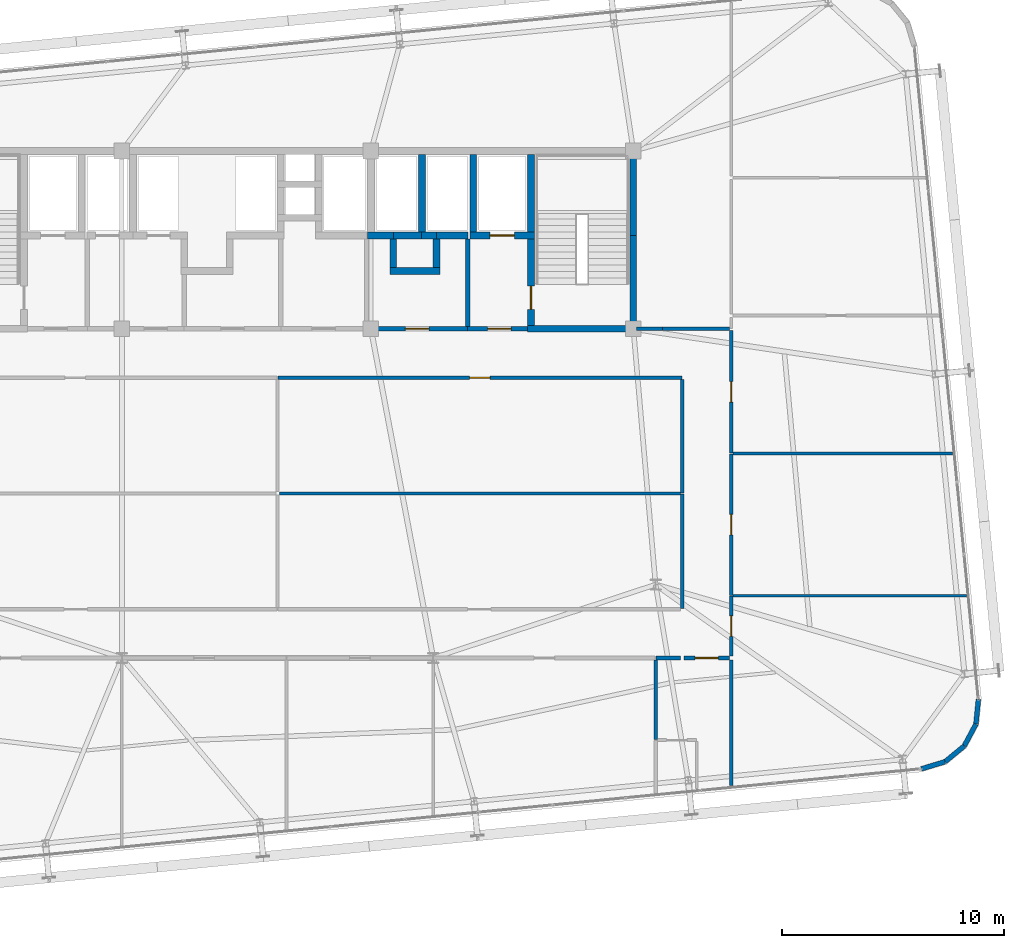
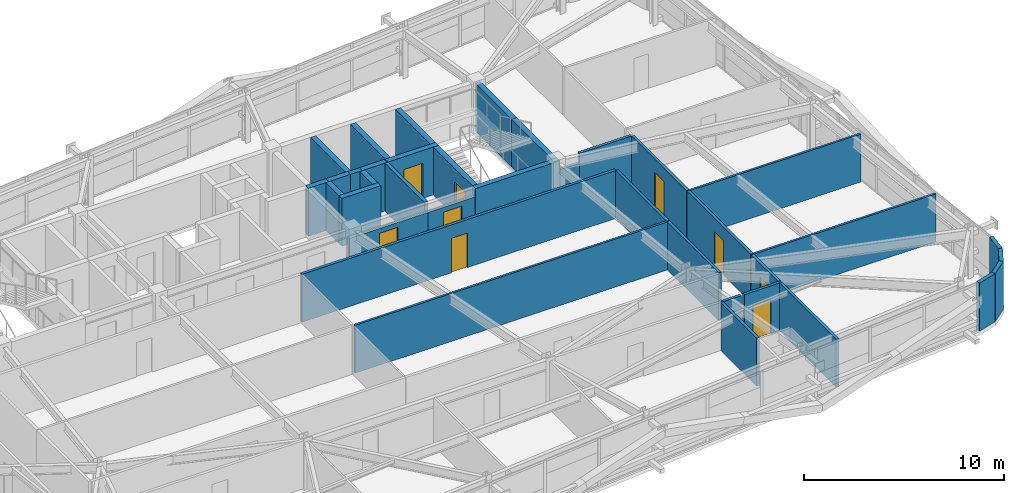
# One storey, part 48 of 52: 37 walls, 9 doors, 9 openings.
"""IFC4 building model written with IfcOpenShell, lengths in metres."""

import ifcopenshell
import ifcopenshell.guid

model = None  # the IFC model being written
_history = None  # IfcOwnerHistory: only IFC2X3 demands one
_inside = {}  # id of a spatial element -> (the spatial element, [elements in it])
_under = {}  # id of a project, library or spatial element -> (it, [spatial elements below it])
_declared = {}  # id of a project -> (the project, [libraries it declares])
_typed = {}  # id of a type object -> (the type object, [elements of that type])
_made_of = {}  # id of a material, layer set ... -> (it, [elements and type objects made of it])


def new_model(schema):
    """Start an empty IFC model of exactly this schema.

    Asked for "IFC4X3", IfcOpenShell would pick the latest addendum, in which some entities
    have other attributes; the version numbers below select the first issue.
    IFC2X3 requires an IfcOwnerHistory on every rooted entity: one is made here for all.
    """
    global model, _history
    if schema == "IFC4X3":
        model = ifcopenshell.file(schema_version=(4, 3, 0, 0))
    else:
        model = ifcopenshell.file(schema=schema)
    _inside.clear()
    _under.clear()
    _declared.clear()
    _typed.clear()
    _made_of.clear()
    _history = None
    if model.schema == "IFC2X3":
        org = make("IfcOrganization", Name="unknown")
        user = make(
            "IfcPersonAndOrganization",
            ThePerson=make("IfcPerson", FamilyName="unknown"),
            TheOrganization=org,
        )
        app = make(
            "IfcApplication",
            ApplicationDeveloper=org,
            Version="unknown",
            ApplicationFullName="unknown",
            ApplicationIdentifier="unknown",
        )
        _history = make(
            "IfcOwnerHistory",
            OwningUser=user,
            OwningApplication=app,
            ChangeAction="ADDED",
            CreationDate=0,
        )
    return model


def make(cls, **values):
    """One entity of the class cls with the attributes given. An attribute that is None is left unset."""
    return model.create_entity(
        cls, **{name: value for name, value in values.items() if value is not None}
    )


def rooted(cls, **values):
    """An entity with a GlobalId (a new one), such as an element, a storey or a relation."""
    return make(cls, GlobalId=ifcopenshell.guid.new(), OwnerHistory=_history, **values)


def si_unit(unit_type, name, prefix=None):
    """IfcSIUnit, for example si_unit("LENGTHUNIT", "METRE", prefix="MILLI")."""
    return make("IfcSIUnit", UnitType=unit_type, Prefix=prefix, Name=name)


def assignment(units):
    """IfcUnitAssignment: the units of a project."""
    return None if units is None else make("IfcUnitAssignment", Units=units)


def point(xyz):
    """IfcCartesianPoint."""
    return None if xyz is None else make("IfcCartesianPoint", Coordinates=xyz)


def direction(xyz):
    """IfcDirection."""
    return None if xyz is None else make("IfcDirection", DirectionRatios=xyz)


def frame(location, z_axis=None, x_axis=None):
    """IfcAxis2Placement3D, a coordinate frame: its origin and axes. An axis left out is left unset."""
    return make(
        "IfcAxis2Placement3D",
        Location=point(location),
        Axis=direction(z_axis),
        RefDirection=direction(x_axis),
    )


def frame_2d(location, x_axis=None):
    """IfcAxis2Placement2D, a coordinate frame in the plane: its origin and x axis."""
    return make(
        "IfcAxis2Placement2D", Location=point(location), RefDirection=direction(x_axis)
    )


def origin():
    """The frame at (0, 0, 0) with its axes left unset."""
    return frame((0.0, 0.0, 0.0))


def place(relative_to, where):
    """IfcLocalPlacement: puts the frame where relative to a parent placement (None: the world)."""
    return make(
        "IfcLocalPlacement", PlacementRelTo=relative_to, RelativePlacement=where
    )


def context(
    kind, dimensions, precision=None, world=None, true_north=None, identifier=None
):
    """IfcGeometricRepresentationContext, for example the 3D "Model" context."""
    return make(
        "IfcGeometricRepresentationContext",
        ContextIdentifier=identifier,
        ContextType=kind,
        CoordinateSpaceDimension=dimensions,
        Precision=precision,
        WorldCoordinateSystem=world,
        TrueNorth=true_north,
    )


def subcontext(parent, identifier, kind, view, scale=None):
    """IfcGeometricRepresentationSubContext, for example "Body" below "Model"."""
    return make(
        "IfcGeometricRepresentationSubContext",
        ContextIdentifier=identifier,
        ContextType=kind,
        ParentContext=parent,
        TargetScale=scale,
        TargetView=view,
    )


def project(units=None, contexts=None):
    """IfcProject with its units and contexts."""
    return rooted(
        "IfcProject",
        Name="project",
        RepresentationContexts=contexts,
        UnitsInContext=assignment(units),
    )


def spatial(cls, under=None, at=None, **own):
    """A site, building, storey or space (cls), placed at a placement, below another one or the project."""
    s = rooted(cls, ObjectPlacement=at, **own)
    if under is not None:
        _under.setdefault(under.id(), (under, []))[1].append(s)
    return s


def profile(cls, at=None, kind="AREA", **sizes):
    """A parametric profile (cls). Its sizes go by their IFC names, for example OverallWidth=200.0."""
    return make(cls, ProfileType=kind, Position=at, **sizes)


def rectangle(**sizes):
    """IfcRectangleProfileDef."""
    return profile("IfcRectangleProfileDef", **sizes)


def extrude(swept, where, along, depth):
    """IfcExtrudedAreaSolid: the profile swept, set in the frame where, extruded along a direction by depth."""
    return make(
        "IfcExtrudedAreaSolid",
        SweptArea=swept,
        Position=where,
        ExtrudedDirection=direction(along),
        Depth=depth,
    )


def shape(context_of_items, identifier, shape_type, items):
    """IfcShapeRepresentation: the items that make up one representation, for example the "Body"."""
    return make(
        "IfcShapeRepresentation",
        ContextOfItems=context_of_items,
        RepresentationIdentifier=identifier,
        RepresentationType=shape_type,
        Items=items,
    )


def source(mapping_origin, context_of_items, identifier, shape_type, items):
    """IfcRepresentationMap: a shape defined once, which mapped items show again and again."""
    return make(
        "IfcRepresentationMap",
        MappingOrigin=mapping_origin,
        MappedRepresentation=shape(context_of_items, identifier, shape_type, items),
    )


def transform(
    local_origin,
    x_axis=None,
    y_axis=None,
    z_axis=None,
    scale=None,
    scale2=None,
    scale3=None,
    uniform=True,
):
    """IfcCartesianTransformationOperator3D, or its non-uniform kind. x_axis, y_axis, z_axis: its Axis1, 2, 3."""
    if uniform:
        return make(
            "IfcCartesianTransformationOperator3D",
            Axis1=direction(x_axis),
            Axis2=direction(y_axis),
            LocalOrigin=point(local_origin),
            Scale=scale,
            Axis3=direction(z_axis),
        )
    return make(
        "IfcCartesianTransformationOperator3DnonUniform",
        Axis1=direction(x_axis),
        Axis2=direction(y_axis),
        LocalOrigin=point(local_origin),
        Scale=scale,
        Axis3=direction(z_axis),
        Scale2=scale2,
        Scale3=scale3,
    )


def mapped(mapping_source, mapping_target):
    """IfcMappedItem: shows the shape of a source again, moved by a transform."""
    return make(
        "IfcMappedItem", MappingSource=mapping_source, MappingTarget=mapping_target
    )


def material(Name=None, Category=None):
    """IfcMaterial."""
    return make("IfcMaterial", Name=Name, Category=Category)


def layer(
    of_material, thickness, ventilated=None, Name=None, Category=None, Priority=None
):
    """IfcMaterialLayer: one layer of a wall or slab, of a material (None: an air gap)."""
    return make(
        "IfcMaterialLayer",
        Material=of_material,
        LayerThickness=thickness,
        IsVentilated=ventilated,
        Name=Name,
        Category=Category,
        Priority=Priority,
    )


def layer_set(layers, Name=None):
    """IfcMaterialLayerSet."""
    return make("IfcMaterialLayerSet", MaterialLayers=layers, LayerSetName=Name)


def made_of(thing, what):
    """Note that an element or type object is made of a material, layer set ...; save() writes the relation."""
    if what is not None:
        _made_of.setdefault(what.id(), (what, []))[1].append(thing)
    return thing


def type_object(cls, material=None, **own):
    """A type object (cls), such as IfcWallType, which elements share."""
    return made_of(rooted(cls, **own), material)


def element(
    cls,
    number,
    at=None,
    inside=None,
    cuts=None,
    type_object=None,
    material=None,
    context=None,
    identifier="Body",
    shape_type=None,
    held_by="IfcProductDefinitionShape",
    body=None,
    shapes=None,
    **own,
):
    """One element of the class cls, such as IfcWall. Its Tag is "e" and its number.

    at: its placement. inside: the storey or other place that contains it. cuts: it is an
    opening in that element (IfcRelVoidsElement). A single representation is given by context,
    identifier, shape_type and body (its items); several are given by shapes. held_by: the class
    of the entity that holds the representations. save() writes the other relations.
    """
    e = rooted(cls, Tag="e%d" % number, ObjectPlacement=at, **own)
    if body is not None:
        shapes = [shape(context, identifier, shape_type, body)]
    if shapes is not None:
        e.Representation = make(held_by, Representations=shapes)
    if inside is not None:
        _inside.setdefault(inside.id(), (inside, []))[1].append(e)
    if cuts is not None:
        rooted(
            "IfcRelVoidsElement", RelatingBuildingElement=cuts, RelatedOpeningElement=e
        )
    if type_object is not None:
        _typed.setdefault(type_object.id(), (type_object, []))[1].append(e)
    return made_of(e, material)


def fill(opening, filler):
    """IfcRelFillsElement: the door or window that sits in an opening."""
    return rooted(
        "IfcRelFillsElement",
        RelatingOpeningElement=opening,
        RelatedBuildingElement=filler,
    )


def aggregate(whole, parts):
    """IfcRelAggregates: a whole, such as a stair, and the parts it consists of."""
    return rooted("IfcRelAggregates", RelatingObject=whole, RelatedObjects=parts)


def save(model, path):
    """Write the relations noted so far, then the file.

    IfcRelAggregates (storeys below a building ...), IfcRelContainedInSpatialStructure (elements
    in a storey), IfcRelDefinesByType, IfcRelAssociatesMaterial and IfcRelDeclares: one each for
    every whole, place, type object, material and project.
    """
    for whole, parts in _under.values():
        aggregate(whole, parts)
    for where, things in _inside.values():
        rooted(
            "IfcRelContainedInSpatialStructure",
            RelatedElements=things,
            RelatingStructure=where,
        )
    for kind, things in _typed.values():
        rooted("IfcRelDefinesByType", RelatedObjects=things, RelatingType=kind)
    for what, things in _made_of.values():
        rooted("IfcRelAssociatesMaterial", RelatedObjects=things, RelatingMaterial=what)
    for by, libraries in _declared.values():
        rooted("IfcRelDeclares", RelatingContext=by, RelatedDefinitions=libraries)
    model.write(path)


model = new_model("IFC4")

# Units and contexts
model_context = context("Model", 3, precision=1e-05, world=origin(), true_north=direction((0.0, 1.0)))
body_context = subcontext(model_context, "Body", "Model", "MODEL_VIEW")
ifc_project = project(units=[si_unit("LENGTHUNIT", "METRE"), si_unit("AREAUNIT", "SQUARE_METRE"), si_unit("VOLUMEUNIT", "CUBIC_METRE"), si_unit("PLANEANGLEUNIT", "RADIAN"), si_unit("MASSUNIT", "GRAM", prefix="KILO")], contexts=[model_context])

# Site, building, storey
site_placement = place(None, origin())
site = spatial("IfcSite", under=ifc_project, at=site_placement, CompositionType="ELEMENT")
building_placement = place(site_placement, origin())
building = spatial("IfcBuilding", under=site, at=building_placement, Name="Taldren Reach Tower", CompositionType="ELEMENT")
storey_placement = place(building_placement, frame((0.0, 0.0, 74.550048828125)))
storey = spatial("IfcBuildingStorey", under=building, at=storey_placement, Name="L22", CompositionType="ELEMENT", Elevation=74.550048828125)

# Walls
ifc_material_1 = material(Name="Pale Champagne Anodised Aluminium Cladding", Category="aluminium")
ifc_layer_1 = layer(ifc_material_1, 0.04, Name="Pale Champagne Anodised Aluminium Cladding", Category="aluminium")
ifc_material_2 = material(Name="Mineral Wool Acoustic Insulation", Category="insulation")
ifc_layer_2 = layer(ifc_material_2, 0.06, Name="Mineral Wool Acoustic Insulation", Category="insulation")
ifc_material_3 = material(Name="Steel Gr 350 (C350L0)", Category="steel")
ifc_layer_3 = layer(ifc_material_3, 0.12, Name="Steel Gr 350 (C350L0)", Category="steel")
ifc_layer_set_1 = layer_set([ifc_layer_1, ifc_layer_2, ifc_layer_3], Name="Pale Champagne Aluminium Cladding and Steel Gr 350 Stud Framing")
wall_type_1 = type_object("IfcWallType", Name="EW-CRN-220", PredefinedType="SOLIDWALL", material=ifc_layer_set_1)
shared_shape_1 = source(origin(), body_context, "Body", "SweptSolid", [
    extrude(rectangle(XDim=1.115966796875, YDim=0.219970703125, at=frame_2d((0.55810546875, 0.0))), origin(), (0.0, 0.0, 1.0), 2.929931640625),
])
for number, where, z_axis, x_axis, name in (
    (1, (65.01708984375, 4.537109375, 0.0), (0.0, 0.0, 1.0), (0.773342870285, 0.633988016432, 0.0), "Rounded-corner pale-metal facade wall L22-SE2"),
    (2, (66.406494140625, 6.228515625, 0.0), (0.0, 0.0, 1.0), (0.09844234778, 0.995142755671, 0.0), "Rounded-corner pale-metal facade wall L22-SE4"),
):
    element("IfcWall", number, at=place(storey_placement, frame(where, z_axis=z_axis, x_axis=x_axis)), inside=storey, type_object=wall_type_1, Name=name, PredefinedType="SOLIDWALL", context=body_context, shape_type="MappedRepresentation", body=[
        mapped(shared_shape_1, transform((0.0, 0.0, 0.0), scale=1.0)),
    ])
shared_shape_2 = source(origin(), body_context, "Body", "SweptSolid", [
    extrude(rectangle(XDim=1.11572265625, YDim=0.219970703125, at=frame_2d((0.557861328125, 0.0))), origin(), (0.0, 0.0, 1.0), 2.929931640625),
])
for number, where, z_axis, x_axis, name in (
    (3, (63.94921875, 4.213623046875, 0.0), (0.0, 0.0, 1.0), (0.957052003726, 0.289916301997, 0.0), "Rounded-corner pale-metal facade wall L22-SE1"),
    (4, (65.880126953125, 5.24462890625, 0.0), (0.0, 0.0, 1.0), (0.471723463201, 0.881746547635, 0.0), "Rounded-corner pale-metal facade wall L22-SE3"),
):
    element("IfcWall", number, at=place(storey_placement, frame(where, z_axis=z_axis, x_axis=x_axis)), inside=storey, type_object=wall_type_1, Name=name, PredefinedType="SOLIDWALL", context=body_context, shape_type="MappedRepresentation", body=[
        mapped(shared_shape_2, transform((0.0, 0.0, 0.0), scale=1.0)),
    ])

# Wall, opening, door
ifc_material_4 = material(Name="Fire-Rated Acoustic Plasterboard Stud Wall", Category="gypsum")
ifc_layer_4 = layer(ifc_material_4, 0.159912109375)
ifc_layer_set_2 = layer_set([ifc_layer_4], Name="Fire-Rated Acoustic Plasterboard Stud Wall")
wall_type_2 = type_object("IfcWallType", Name="IW-FIRE-160", PredefinedType="PARTITIONING", material=ifc_layer_set_2)
shared_shape_3 = source(origin(), body_context, "Body", "SweptSolid", [
    extrude(rectangle(XDim=2.0400390625, YDim=0.159912109375, at=frame_2d((1.02001953125, 0.0))), origin(), (0.0, 0.0, 1.0), 2.929931640625),
])
wall_1_placement = place(storey_placement, frame((55.320068359375, 9.199951171875, 0.0), z_axis=(0.0, 0.0, 1.0), x_axis=(-1.0, 0.0, 0.0)))
wall_1 = element("IfcWall", 5, at=wall_1_placement, inside=storey, type_object=wall_type_2, Name="Interior Partition Wall W-INT-L22-054", PredefinedType="PARTITIONING", context=body_context, shape_type="MappedRepresentation", body=[
    mapped(shared_shape_3, transform((0.0, 0.0, 0.0), scale=1.0)),
])
shared_shape_4 = source(origin(), body_context, "Body", "SweptSolid", [
    extrude(rectangle(XDim=1.050048828125, YDim=2.10009765625, at=frame_2d((0.52490234375, 1.050048828125))), frame((0.0, 0.08984375, 0.0), z_axis=(0.0, -1.0, 0.0), x_axis=(1.0, 0.0, 0.0)), (0.0, 0.0, 1.0), 0.179931640625),
])
opening_1_placement = place(wall_1_placement, frame((0.4951171875, 0.0, 0.0)))
opening_1 = element("IfcOpeningElement", 6, at=opening_1_placement, cuts=wall_1, Name="Opening DF-105", PredefinedType="OPENING", context=body_context, shape_type="MappedRepresentation", body=[
    mapped(shared_shape_4, transform((0.0, 0.0, 0.0), scale=1.0)),
])
ifc_material_5 = material(Name="Fire-Rated Care and Stair Exit Door")
door_type_1 = type_object("IfcDoorType", Name="ID-FIRE-105", OperationType="NOTDEFINED", PredefinedType="DOOR", material=ifc_material_5)
shared_shape_5 = source(origin(), body_context, "Body", "SweptSolid", [
    extrude(rectangle(XDim=1.050048828125, YDim=2.10009765625, at=frame_2d((0.52490234375, 1.050048828125))), frame((0.0, 0.02490234375, 0.0), z_axis=(0.0, -1.0, 0.0), x_axis=(1.0, 0.0, 0.0)), (0.0, 0.0, 1.0), 0.050048828125),
])
door_1_placement = place(opening_1_placement, origin())
door_1 = element("IfcDoor", 7, at=door_1_placement, inside=storey, type_object=door_type_1, Name="Interior Door DR-L22-012", OperationType="SINGLE_SWING_LEFT", OverallHeight=2.10009765625, OverallWidth=1.050048828125, PredefinedType="DOOR", context=body_context, shape_type="MappedRepresentation", body=[
    mapped(shared_shape_5, transform((0.0, 0.0, 0.0), scale=1.0)),
])
fill(opening_1, door_1)

ifc_material_6 = material(Name="Concrete S50 (50 MPa)", Category="concrete")
ifc_layer_5 = layer(ifc_material_6, 0.199951171875)
ifc_layer_set_3 = layer_set([ifc_layer_5], Name="Concrete S50 (50 MPa)")
wall_type_3 = type_object("IfcWallType", Name="IW-CORE-200", PredefinedType="SOLIDWALL", material=ifc_layer_set_3)
shared_shape_6 = source(origin(), body_context, "Body", "SweptSolid", [
    extrude(rectangle(XDim=4.550048828125, YDim=0.199951171875, at=frame_2d((2.27490234375, 0.0))), origin(), (0.0, 0.0, 1.0), 2.39697265625),
])
wall_2_placement = place(storey_placement, frame((43.550048828125, 24.0, 0.0), z_axis=(0.0, 0.0, 1.0), x_axis=(-1.0, 0.0, 0.0)))
wall_2 = element("IfcWall", 8, at=wall_2_placement, inside=storey, type_object=wall_type_3, Name="Rear Core Shear Wall W-INT-L22-046", PredefinedType="SOLIDWALL", context=body_context, shape_type="MappedRepresentation", body=[
    mapped(shared_shape_6, transform((0.0, 0.0, 0.0), scale=1.0)),
])
shared_shape_7 = source(origin(), body_context, "Body", "SweptSolid", [
    extrude(rectangle(XDim=1.050048828125, YDim=2.10009765625, at=frame_2d((0.52490234375, 1.050048828125))), frame((0.0, 0.10986328125, 0.0), z_axis=(0.0, -1.0, 0.0), x_axis=(1.0, 0.0, 0.0)), (0.0, 0.0, 1.0), 0.219970703125),
])
opening_2_placement = place(wall_2_placement, frame((1.75, 0.0, 0.0)))
opening_2 = element("IfcOpeningElement", 9, at=opening_2_placement, cuts=wall_2, Name="Opening DF-105", PredefinedType="OPENING", context=body_context, shape_type="MappedRepresentation", body=[
    mapped(shared_shape_7, transform((0.0, 0.0, 0.0), scale=1.0)),
])
door_2_placement = place(opening_2_placement, frame((1.050048828125, 0.0, 0.0), z_axis=(0.0, 0.0, 1.0), x_axis=(-1.0, 0.0, 0.0)))
door_2 = element("IfcDoor", 10, at=door_2_placement, inside=storey, type_object=door_type_1, Name="Interior Door DR-L22-008", OperationType="SINGLE_SWING_RIGHT", OverallHeight=2.10009765625, OverallWidth=1.050048828125, PredefinedType="DOOR", context=body_context, shape_type="MappedRepresentation", body=[
    mapped(shared_shape_5, transform((0.0, 0.0, 0.0), scale=1.0)),
])
fill(opening_2, door_2)

# Wall
shared_shape_8 = source(origin(), body_context, "Body", "SweptSolid", [
    extrude(rectangle(XDim=5.15966796875, YDim=0.159912109375, at=frame_2d((2.579833984375, 0.0))), origin(), (0.0, 0.0, 1.0), 2.929931640625),
])
wall_3_placement = place(storey_placement, frame((53.199951171875, 11.420166015625, 0.0), z_axis=(0.0, 0.0, 1.0), x_axis=(0.0, 1.0, 0.0)))
element("IfcWall", 11, at=wall_3_placement, inside=storey, type_object=wall_type_2, Name="Interior Partition Wall W-INT-L22-050", PredefinedType="PARTITIONING", context=body_context, shape_type="MappedRepresentation", body=[
    mapped(shared_shape_8, transform((0.0, 0.0, 0.0), scale=1.0)),
])

# Wall, opening, door
shared_shape_9 = source(origin(), body_context, "Body", "SweptSolid", [
    extrude(rectangle(XDim=18.159423828125, YDim=0.159912109375, at=frame_2d((9.07958984375, 0.0))), origin(), (0.0, 0.0, 1.0), 2.929931640625),
])
wall_4_placement = place(storey_placement, frame((53.1796875, 21.800048828125, 0.0), z_axis=(0.0, 0.0, 1.0), x_axis=(-1.0, 0.0, 0.0)))
wall_4 = element("IfcWall", 12, at=wall_4_placement, inside=storey, type_object=wall_type_2, Name="Interior Partition Wall W-INT-L22-051", PredefinedType="PARTITIONING", context=body_context, shape_type="MappedRepresentation", body=[
    mapped(shared_shape_9, transform((0.0, 0.0, 0.0), scale=1.0)),
])
shared_shape_10 = source(origin(), body_context, "Body", "SweptSolid", [
    extrude(rectangle(XDim=0.919921875, YDim=2.10009765625, at=frame_2d((0.4599609375, 1.050048828125))), frame((0.0, 0.08984375, 0.0), z_axis=(0.0, -1.0, 0.0), x_axis=(1.0, 0.0, 0.0)), (0.0, 0.0, 1.0), 0.179931640625),
])
opening_3_placement = place(wall_4_placement, frame((8.619873046875, 0.0, 0.0)))
opening_3 = element("IfcOpeningElement", 13, at=opening_3_placement, cuts=wall_4, Name="Opening DI-092", PredefinedType="OPENING", context=body_context, shape_type="MappedRepresentation", body=[
    mapped(shared_shape_10, transform((0.0, 0.0, 0.0), scale=1.0)),
])
ifc_material_7 = material(Name="Solid-Core Timber Suite Door", Category="wood")
door_type_2 = type_object("IfcDoorType", Name="ID-INT-092", OperationType="NOTDEFINED", PredefinedType="DOOR", material=ifc_material_7)
shared_shape_11 = source(origin(), body_context, "Body", "SweptSolid", [
    extrude(rectangle(XDim=0.919921875, YDim=2.10009765625, at=frame_2d((0.4599609375, 1.050048828125))), frame((0.0, 0.02490234375, 0.0), z_axis=(0.0, -1.0, 0.0), x_axis=(1.0, 0.0, 0.0)), (0.0, 0.0, 1.0), 0.050048828125),
])
door_3_placement = place(opening_3_placement, origin())
door_3 = element("IfcDoor", 14, at=door_3_placement, inside=storey, type_object=door_type_2, Name="Interior Door DR-L22-010", OperationType="SINGLE_SWING_LEFT", OverallHeight=2.10009765625, OverallWidth=0.919921875, PredefinedType="DOOR", context=body_context, shape_type="MappedRepresentation", body=[
    mapped(shared_shape_11, transform((0.0, 0.0, 0.0), scale=1.0)),
])
fill(opening_3, door_3)

# Walls
shared_shape_12 = source(origin(), body_context, "Body", "SweptSolid", [
    extrude(rectangle(XDim=5.099853515625, YDim=0.159912109375, at=frame_2d((2.5498046875, 0.0))), origin(), (0.0, 0.0, 1.0), 2.929931640625),
])
wall_5_placement = place(storey_placement, frame((53.199951171875, 16.6201171875, 0.0), z_axis=(0.0, 0.0, 1.0), x_axis=(0.0, 1.0, 0.0)))
element("IfcWall", 15, at=wall_5_placement, inside=storey, type_object=wall_type_2, Name="Interior Partition Wall W-INT-L22-052", PredefinedType="PARTITIONING", context=body_context, shape_type="MappedRepresentation", body=[
    mapped(shared_shape_12, transform((0.0, 0.0, 0.0), scale=1.0)),
])
shared_shape_13 = source(origin(), body_context, "Body", "SweptSolid", [
    extrude(rectangle(XDim=1.099853515625, YDim=0.159912109375, at=frame_2d((0.5498046875, 0.0))), origin(), (0.0, 0.0, 1.0), 2.929931640625),
])
wall_6_placement = place(storey_placement, frame((53.1201171875, 9.199951171875, 0.0), z_axis=(0.0, 0.0, 1.0), x_axis=(-1.0, 0.0, 0.0)))
element("IfcWall", 16, at=wall_6_placement, inside=storey, type_object=wall_type_2, Name="Interior Partition Wall W-INT-L22-069", PredefinedType="PARTITIONING", context=body_context, shape_type="MappedRepresentation", body=[
    mapped(shared_shape_13, transform((0.0, 0.0, 0.0), scale=1.0)),
])
ifc_material_8 = material(Name="Insulated Residential Stud Partition", Category="gypsum")
ifc_layer_6 = layer(ifc_material_8, 0.1201171875)
ifc_layer_set_4 = layer_set([ifc_layer_6], Name="Insulated Residential Stud Partition")
wall_type_4 = type_object("IfcWallType", Name="IW-PART-120", PredefinedType="PARTITIONING", material=ifc_layer_set_4)
shared_shape_14 = source(origin(), body_context, "Body", "SweptSolid", [
    extrude(rectangle(XDim=18.0400390625, YDim=0.1201171875, at=frame_2d((9.02001953125, 0.0))), origin(), (0.0, 0.0, 1.0), 2.929931640625),
])
wall_7_placement = place(storey_placement, frame((35.080078125, 16.60009765625, 0.0), z_axis=(0.0, 0.0, 1.0), x_axis=(1.0, 0.0, 0.0)))
element("IfcWall", 17, at=wall_7_placement, inside=storey, type_object=wall_type_4, Name="Interior Partition Wall W-INT-L22-073", PredefinedType="PARTITIONING", context=body_context, shape_type="MappedRepresentation", body=[
    mapped(shared_shape_14, transform((0.0, 0.0, 0.0), scale=1.0)),
])

# Wall, opening, door
shared_shape_15 = source(origin(), body_context, "Body", "SweptSolid", [
    extrude(rectangle(XDim=5.499755859375, YDim=0.159912109375, at=frame_2d((2.75, 0.0))), origin(), (0.0, 0.0, 1.0), 2.929931640625),
])
wall_8_placement = place(storey_placement, frame((55.39990234375, 23.919921875, 0.0), z_axis=(0.0, 0.0, 1.0), x_axis=(0.0, -1.0, 0.0)))
wall_8 = element("IfcWall", 18, at=wall_8_placement, inside=storey, type_object=wall_type_2, Name="Interior Partition Wall W-INT-L22-059", PredefinedType="PARTITIONING", context=body_context, shape_type="MappedRepresentation", body=[
    mapped(shared_shape_15, transform((0.0, 0.0, 0.0), scale=1.0)),
])
opening_4_placement = place(wall_8_placement, frame((2.289794921875, 0.0, 0.0)))
opening_4 = element("IfcOpeningElement", 19, at=opening_4_placement, cuts=wall_8, Name="Opening DI-092", PredefinedType="OPENING", context=body_context, shape_type="MappedRepresentation", body=[
    mapped(shared_shape_10, transform((0.0, 0.0, 0.0), scale=1.0)),
])
door_4_placement = place(opening_4_placement, origin())
door_4 = element("IfcDoor", 20, at=door_4_placement, inside=storey, type_object=door_type_2, Name="Interior Door DR-L22-017", OperationType="SINGLE_SWING_RIGHT", OverallHeight=2.10009765625, OverallWidth=0.919921875, PredefinedType="DOOR", context=body_context, shape_type="MappedRepresentation", body=[
    mapped(shared_shape_11, transform((0.0, 0.0, 0.0), scale=1.0)),
])
fill(opening_4, door_4)

shared_shape_16 = source(origin(), body_context, "Body", "SweptSolid", [
    extrude(rectangle(XDim=6.359619140625, YDim=0.159912109375, at=frame_2d((3.1796875, 0.0))), origin(), (0.0, 0.0, 1.0), 2.929931640625),
])
wall_9_placement = place(storey_placement, frame((55.39990234375, 18.3798828125, 0.0), z_axis=(0.0, 0.0, 1.0), x_axis=(0.0, -1.0, 0.0)))
wall_9 = element("IfcWall", 21, at=wall_9_placement, inside=storey, type_object=wall_type_2, Name="Interior Partition Wall W-INT-L22-058", PredefinedType="PARTITIONING", context=body_context, shape_type="MappedRepresentation", body=[
    mapped(shared_shape_16, transform((0.0, 0.0, 0.0), scale=1.0)),
])
opening_5_placement = place(wall_9_placement, frame((2.7197265625, 0.0, 0.0)))
opening_5 = element("IfcOpeningElement", 22, at=opening_5_placement, cuts=wall_9, Name="Opening DI-092", PredefinedType="OPENING", context=body_context, shape_type="MappedRepresentation", body=[
    mapped(shared_shape_10, transform((0.0, 0.0, 0.0), scale=1.0)),
])
door_5_placement = place(opening_5_placement, origin())
door_5 = element("IfcDoor", 23, at=door_5_placement, inside=storey, type_object=door_type_2, Name="Interior Door DR-L22-016", OperationType="SINGLE_SWING_LEFT", OverallHeight=2.10009765625, OverallWidth=0.919921875, PredefinedType="DOOR", context=body_context, shape_type="MappedRepresentation", body=[
    mapped(shared_shape_11, transform((0.0, 0.0, 0.0), scale=1.0)),
])
fill(opening_5, door_5)

# Walls
ifc_material_9 = material(Name="Concrete S65 (65 MPa)", Category="concrete")
ifc_layer_7 = layer(ifc_material_9, 0.300048828125)
ifc_layer_set_5 = layer_set([ifc_layer_7], Name="Concrete S65 (65 MPa)")
wall_type_5 = type_object("IfcWallType", Name="IW-CORE-300", PredefinedType="SHEAR", material=ifc_layer_set_5)
shared_shape_17 = source(origin(), body_context, "Body", "SweptSolid", [
    extrude(rectangle(XDim=4.050048828125, YDim=0.300048828125, at=frame_2d((2.02490234375, 0.0))), origin(), (0.0, 0.0, 1.0), 2.929931640625),
])
wall_10_placement = place(storey_placement, frame((51.0, 24.14990234375, 0.0), z_axis=(0.0, 0.0, 1.0), x_axis=(0.0, 1.0, 0.0)))
element("IfcWall", 24, at=wall_10_placement, inside=storey, type_object=wall_type_5, Name="Rear Core Shear Wall W-CORE-L22-EAST1", PredefinedType="SHEAR", context=body_context, shape_type="MappedRepresentation", body=[
    mapped(shared_shape_17, transform((0.0, 0.0, 0.0), scale=1.0)),
])
shared_shape_18 = source(origin(), body_context, "Body", "SweptSolid", [
    extrude(rectangle(XDim=3.650146484375, YDim=0.300048828125, at=frame_2d((1.8251953125, 0.0))), origin(), (0.0, 0.0, 1.0), 2.929931640625),
])
wall_11_placement = place(storey_placement, frame((51.0, 28.199951171875, 0.0), z_axis=(0.0, 0.0, 1.0), x_axis=(0.0, 1.0, 0.0)))
element("IfcWall", 25, at=wall_11_placement, inside=storey, type_object=wall_type_5, Name="Rear Core Shear Wall W-CORE-L22-EAST2", PredefinedType="SHEAR", context=body_context, shape_type="MappedRepresentation", body=[
    mapped(shared_shape_18, transform((0.0, 0.0, 0.0), scale=1.0)),
])
shared_shape_19 = source(origin(), body_context, "Body", "SweptSolid", [
    extrude(rectangle(XDim=3.5, YDim=0.300048828125, at=frame_2d((1.75, 0.0))), origin(), (0.0, 0.0, 1.0), 2.929931640625),
])
for number, where, z_axis, x_axis, name in (
    (26, (46.39990234375, 31.85009765625, 0.0), (0.0, 0.0, 1.0), (0.0, -1.0, 0.0), "Rear Core Shear Wall W-INT-L22-008"),
    (27, (43.800048828125, 31.85009765625, 0.0), (0.0, 0.0, 1.0), (0.0, -1.0, 0.0), "Rear Core Shear Wall W-INT-L22-012"),
    (28, (41.5, 28.35009765625, 0.0), (0.0, 0.0, 1.0), (0.0, 1.0, 0.0), "Rear Core Shear Wall W-INT-L22-039"),
):
    element("IfcWall", number, at=place(storey_placement, frame(where, z_axis=z_axis, x_axis=x_axis)), inside=storey, type_object=wall_type_5, Name=name, PredefinedType="SHEAR", context=body_context, shape_type="MappedRepresentation", body=[
        mapped(shared_shape_19, transform((0.0, 0.0, 0.0), scale=1.0)),
    ])

# Wall, opening, door
shared_shape_20 = source(origin(), body_context, "Body", "SweptSolid", [
    extrude(rectangle(XDim=3.900146484375, YDim=0.300048828125, at=frame_2d((1.9501953125, 0.0))), origin(), (0.0, 0.0, 1.0), 2.929931640625),
])
wall_12_placement = place(storey_placement, frame((46.39990234375, 28.050048828125, 0.0), z_axis=(0.0, 0.0, 1.0), x_axis=(0.0, -1.0, 0.0)))
wall_12 = element("IfcWall", 29, at=wall_12_placement, inside=storey, type_object=wall_type_5, Name="Rear Core Shear Wall W-INT-L22-009", PredefinedType="SHEAR", context=body_context, shape_type="MappedRepresentation", body=[
    mapped(shared_shape_20, transform((0.0, 0.0, 0.0), scale=1.0)),
])
shared_shape_21 = source(origin(), body_context, "Body", "SweptSolid", [
    extrude(rectangle(XDim=1.050048828125, YDim=2.10009765625, at=frame_2d((0.52490234375, 1.050048828125))), frame((0.0, 0.16015625, 0.0), z_axis=(0.0, -1.0, 0.0), x_axis=(1.0, 0.0, 0.0)), (0.0, 0.0, 1.0), 0.320068359375),
])
opening_6_placement = place(wall_12_placement, frame((2.125, 0.0, 0.0)))
opening_6 = element("IfcOpeningElement", 30, at=opening_6_placement, cuts=wall_12, Name="Opening DF-105", PredefinedType="OPENING", context=body_context, shape_type="MappedRepresentation", body=[
    mapped(shared_shape_21, transform((0.0, 0.0, 0.0), scale=1.0)),
])
door_6_placement = place(opening_6_placement, origin())
door_6 = element("IfcDoor", 31, at=door_6_placement, inside=storey, type_object=door_type_1, Name="Fire Exit Stair Door DR-L22-003", OperationType="SINGLE_SWING_RIGHT", OverallHeight=2.10009765625, OverallWidth=1.050048828125, PredefinedType="DOOR", context=body_context, shape_type="MappedRepresentation", body=[
    mapped(shared_shape_5, transform((0.0, 0.0, 0.0), scale=1.0)),
])
fill(opening_6, door_6)

# Wall
shared_shape_22 = source(origin(), body_context, "Body", "SweptSolid", [
    extrude(rectangle(XDim=4.89990234375, YDim=0.300048828125, at=frame_2d((2.449951171875, 0.0))), origin(), (0.0, 0.0, 1.0), 2.929931640625),
])
wall_13_placement = place(storey_placement, frame((46.25, 24.0, 0.0), z_axis=(0.0, 0.0, 1.0), x_axis=(1.0, 0.0, 0.0)))
element("IfcWall", 32, at=wall_13_placement, inside=storey, type_object=wall_type_5, Name="Rear Core Shear Wall W-INT-L22-010", PredefinedType="SHEAR", context=body_context, shape_type="MappedRepresentation", body=[
    mapped(shared_shape_22, transform((0.0, 0.0, 0.0), scale=1.0)),
])

# Wall, opening, door
shared_shape_23 = source(origin(), body_context, "Body", "SweptSolid", [
    extrude(rectangle(XDim=2.900146484375, YDim=0.300048828125, at=frame_2d((1.4501953125, 0.0))), origin(), (0.0, 0.0, 1.0), 2.929931640625),
])
wall_14_placement = place(storey_placement, frame((43.64990234375, 28.199951171875, 0.0), z_axis=(0.0, 0.0, 1.0), x_axis=(1.0, 0.0, 0.0)))
wall_14 = element("IfcWall", 33, at=wall_14_placement, inside=storey, type_object=wall_type_5, Name="Rear Core Shear Wall W-INT-L22-011", PredefinedType="SHEAR", context=body_context, shape_type="MappedRepresentation", body=[
    mapped(shared_shape_23, transform((0.0, 0.0, 0.0), scale=1.0)),
])
shared_shape_24 = source(origin(), body_context, "Body", "SweptSolid", [
    extrude(rectangle(XDim=1.10009765625, YDim=2.14990234375, at=frame_2d((0.550048828125, 1.074951171875))), frame((0.0, 0.16015625, 0.0), z_axis=(0.0, -1.0, 0.0), x_axis=(1.0, 0.0, 0.0)), (0.0, 0.0, 1.0), 0.320068359375),
])
opening_7_placement = place(wall_14_placement, frame((0.89990234375, 0.0, 0.0)))
opening_7 = element("IfcOpeningElement", 34, at=opening_7_placement, cuts=wall_14, Name="Opening LD-FL2", PredefinedType="OPENING", context=body_context, shape_type="MappedRepresentation", body=[
    mapped(shared_shape_24, transform((0.0, 0.0, 0.0), scale=1.0)),
])
ifc_material_10 = material(Name="Stainless Steel Gr 316 Emergency Lift Landing Door", Category="steel")
door_type_3 = type_object("IfcDoorType", Name="LD-EMG-110", OperationType="SLIDING_TO_LEFT", PredefinedType="DOOR", material=ifc_material_10)
shared_shape_25 = source(origin(), body_context, "Body", "SweptSolid", [
    extrude(rectangle(XDim=1.10009765625, YDim=2.14990234375, at=frame_2d((0.550048828125, 1.074951171875))), frame((0.0, 0.02490234375, 0.0), z_axis=(0.0, -1.0, 0.0), x_axis=(1.0, 0.0, 0.0)), (0.0, 0.0, 1.0), 0.050048828125),
])
door_7_placement = place(opening_7_placement, origin())
door_7 = element("IfcDoor", 35, at=door_7_placement, inside=storey, type_object=door_type_3, Name="Lift Landing Door LD-FL2-L22", OperationType="SLIDING_TO_LEFT", OverallHeight=2.14990234375, OverallWidth=1.10009765625, PredefinedType="DOOR", context=body_context, shape_type="MappedRepresentation", body=[
    mapped(shared_shape_25, transform((0.0, 0.0, 0.0), scale=1.0)),
])
fill(opening_7, door_7)

# Wall
shared_shape_26 = source(origin(), body_context, "Body", "SweptSolid", [
    extrude(rectangle(XDim=3.949951171875, YDim=0.199951171875, at=frame_2d((1.97509765625, 0.0))), origin(), (0.0, 0.0, 1.0), 2.929931640625),
])
wall_15_placement = place(storey_placement, frame((43.550048828125, 28.050048828125, 0.0), z_axis=(0.0, 0.0, 1.0), x_axis=(0.0, -1.0, 0.0)))
element("IfcWall", 36, at=wall_15_placement, inside=storey, type_object=wall_type_3, Name="Rear Core Shear Wall W-INT-L22-013", PredefinedType="SOLIDWALL", context=body_context, shape_type="MappedRepresentation", body=[
    mapped(shared_shape_26, transform((0.0, 0.0, 0.0), scale=1.0)),
])

# Wall, opening, door
shared_shape_27 = source(origin(), body_context, "Body", "SweptSolid", [
    extrude(rectangle(XDim=2.699951171875, YDim=0.199951171875, at=frame_2d((1.35009765625, 0.0))), origin(), (0.0, 0.0, 1.0), 2.39697265625),
])
wall_16_placement = place(storey_placement, frame((43.550048828125, 24.0, 0.0), z_axis=(0.0, 0.0, 1.0), x_axis=(1.0, 0.0, 0.0)))
wall_16 = element("IfcWall", 37, at=wall_16_placement, inside=storey, type_object=wall_type_3, Name="Rear Core Shear Wall W-INT-L22-014", PredefinedType="SOLIDWALL", context=body_context, shape_type="MappedRepresentation", body=[
    mapped(shared_shape_27, transform((0.0, 0.0, 0.0), scale=1.0)),
])
opening_8_placement = place(wall_16_placement, frame((0.89990234375, 0.0, 0.0)))
opening_8 = element("IfcOpeningElement", 38, at=opening_8_placement, cuts=wall_16, Name="Opening DF-105", PredefinedType="OPENING", context=body_context, shape_type="MappedRepresentation", body=[
    mapped(shared_shape_7, transform((0.0, 0.0, 0.0), scale=1.0)),
])
door_8_placement = place(opening_8_placement, origin())
door_8 = element("IfcDoor", 39, at=door_8_placement, inside=storey, type_object=door_type_1, Name="Interior Door DR-L22-004", OperationType="SINGLE_SWING_LEFT", OverallHeight=2.10009765625, OverallWidth=1.050048828125, PredefinedType="DOOR", context=body_context, shape_type="MappedRepresentation", body=[
    mapped(shared_shape_5, transform((0.0, 0.0, 0.0), scale=1.0)),
])
fill(opening_8, door_8)

# Walls
shared_shape_28 = source(origin(), body_context, "Body", "SweptSolid", [
    extrude(rectangle(XDim=1.300048828125, YDim=0.300048828125, at=frame_2d((0.64990234375, 0.0))), origin(), (0.0, 0.0, 1.0), 2.929931640625),
])
for number, where, z_axis, x_axis, name in (
    (40, (40.199951171875, 28.050048828125, 0.0), (0.0, 0.0, 1.0), (0.0, -1.0, 0.0), "Rear Core Shear Wall W-INT-L22-027"),
    (41, (42.14990234375, 26.75, 0.0), (0.0, 0.0, 1.0), (0.0, 1.0, 0.0), "Rear Core Shear Wall W-INT-L22-028"),
):
    element("IfcWall", number, at=place(storey_placement, frame(where, z_axis=z_axis, x_axis=x_axis)), inside=storey, type_object=wall_type_5, Name=name, PredefinedType="SHEAR", context=body_context, shape_type="MappedRepresentation", body=[
        mapped(shared_shape_28, transform((0.0, 0.0, 0.0), scale=1.0)),
    ])
shared_shape_29 = source(origin(), body_context, "Body", "SweptSolid", [
    extrude(rectangle(XDim=1.320068359375, YDim=0.300048828125, at=frame_2d((0.66015625, 0.0))), origin(), (0.0, 0.0, 1.0), 2.929931640625),
])
wall_17_placement = place(storey_placement, frame((41.52001953125, 28.199951171875, 0.0), z_axis=(0.0, 0.0, 1.0), x_axis=(-1.0, 0.0, 0.0)))
element("IfcWall", 42, at=wall_17_placement, inside=storey, type_object=wall_type_5, Name="Rear Core Shear Wall W-INT-L22-024", PredefinedType="SHEAR", context=body_context, shape_type="MappedRepresentation", body=[
    mapped(shared_shape_29, transform((0.0, 0.0, 0.0), scale=1.0)),
])
shared_shape_30 = source(origin(), body_context, "Body", "SweptSolid", [
    extrude(rectangle(XDim=0.669921875, YDim=0.300048828125, at=frame_2d((0.3349609375, 0.0))), origin(), (0.0, 0.0, 1.0), 2.929931640625),
])
wall_18_placement = place(storey_placement, frame((42.14990234375, 28.199951171875, 0.0), z_axis=(0.0, 0.0, 1.0), x_axis=(-1.0, 0.0, 0.0)))
element("IfcWall", 43, at=wall_18_placement, inside=storey, type_object=wall_type_5, Name="Rear Core Shear Wall W-INT-L22-025", PredefinedType="SHEAR", context=body_context, shape_type="MappedRepresentation", body=[
    mapped(shared_shape_30, transform((0.0, 0.0, 0.0), scale=1.0)),
])
shared_shape_31 = source(origin(), body_context, "Body", "SweptSolid", [
    extrude(rectangle(XDim=1.440185546875, YDim=0.300048828125, at=frame_2d((0.72021484375, 0.0))), origin(), (0.0, 0.0, 1.0), 2.929931640625),
])
wall_19_placement = place(storey_placement, frame((42.1298828125, 28.199951171875, 0.0), z_axis=(0.0, 0.0, 1.0), x_axis=(1.0, 0.0, 0.0)))
element("IfcWall", 44, at=wall_19_placement, inside=storey, type_object=wall_type_5, Name="Rear Core Shear Wall W-INT-L22-041", PredefinedType="SHEAR", context=body_context, shape_type="MappedRepresentation", body=[
    mapped(shared_shape_31, transform((0.0, 0.0, 0.0), scale=1.0)),
])
shared_shape_32 = source(origin(), body_context, "Body", "SweptSolid", [
    extrude(rectangle(XDim=1.154541015625, YDim=0.159912109375, at=frame_2d((0.5771484375, 0.0))), origin(), (0.0, 0.0, 1.0), 2.327880859375),
])
wall_20_placement = place(storey_placement, frame((51.14990234375, 24.0, 0.0), z_axis=(0.0, 0.0, 1.0), x_axis=(1.0, 0.0, 0.0)))
element("IfcWall", 45, at=wall_20_placement, inside=storey, type_object=wall_type_2, Name="Interior Partition Wall W-INT-L22-061", PredefinedType="PARTITIONING", context=body_context, shape_type="MappedRepresentation", body=[
    mapped(shared_shape_32, transform((0.0, 0.0, 0.0), scale=1.0)),
])
shared_shape_33 = source(origin(), body_context, "Body", "SweptSolid", [
    extrude(rectangle(XDim=3.015625, YDim=0.159912109375, at=frame_2d((1.5078125, 0.0))), origin(), (0.0, 0.0, 1.0), 2.929931640625),
])
wall_21_placement = place(storey_placement, frame((52.304443359375, 24.0, 0.0), z_axis=(0.0, 0.0, 1.0), x_axis=(1.0, 0.0, 0.0)))
element("IfcWall", 46, at=wall_21_placement, inside=storey, type_object=wall_type_2, Name="Interior Partition Wall W-INT-L22-061 part 2", PredefinedType="PARTITIONING", context=body_context, shape_type="MappedRepresentation", body=[
    mapped(shared_shape_33, transform((0.0, 0.0, 0.0), scale=1.0)),
])
shared_shape_34 = source(origin(), body_context, "Body", "SweptSolid", [
    extrude(rectangle(XDim=2.25, YDim=0.300048828125, at=frame_2d((1.125, 0.0))), origin(), (0.0, 0.0, 1.0), 2.929931640625),
])
wall_22_placement = place(storey_placement, frame((40.050048828125, 26.60009765625, 0.0), z_axis=(0.0, 0.0, 1.0), x_axis=(1.0, 0.0, 0.0)))
element("IfcWall", 47, at=wall_22_placement, inside=storey, type_object=wall_type_5, Name="Rear Core Shear Wall W-INT-L22-026", PredefinedType="SHEAR", context=body_context, shape_type="MappedRepresentation", body=[
    mapped(shared_shape_34, transform((0.0, 0.0, 0.0), scale=1.0)),
])
shared_shape_35 = source(origin(), body_context, "Body", "SweptSolid", [
    extrude(rectangle(XDim=5.657958984375, YDim=0.159912109375, at=frame_2d((2.8291015625, 0.0))), origin(), (0.0, 0.0, 1.0), 2.929931640625),
])
wall_23_placement = place(storey_placement, frame((55.39990234375, 9.117919921875, 0.0), z_axis=(0.0, 0.0, 1.0), x_axis=(0.0, -1.0, 0.0)))
element("IfcWall", 48, at=wall_23_placement, inside=storey, type_object=wall_type_2, Name="Interior Partition Wall W-INT-L22-088", PredefinedType="PARTITIONING", context=body_context, shape_type="MappedRepresentation", body=[
    mapped(shared_shape_35, transform((0.0, 0.0, 0.0), scale=1.0)),
])
shared_shape_36 = source(origin(), body_context, "Body", "SweptSolid", [
    extrude(rectangle(XDim=1.169921875, YDim=0.300048828125, at=frame_2d((0.5849609375, 0.0))), origin(), (0.0, 0.0, 1.0), 2.929931640625),
])
wall_24_placement = place(storey_placement, frame((39.050048828125, 28.199951171875, 0.0), z_axis=(0.0, 0.0, 1.0), x_axis=(1.0, 0.0, 0.0)))
element("IfcWall", 49, at=wall_24_placement, inside=storey, type_object=wall_type_5, Name="Rear Core Shear Wall W-INT-L22-040", PredefinedType="SHEAR", context=body_context, shape_type="MappedRepresentation", body=[
    mapped(shared_shape_36, transform((0.0, 0.0, 0.0), scale=1.0)),
])

# Wall, opening, door
shared_shape_37 = source(origin(), body_context, "Body", "SweptSolid", [
    extrude(rectangle(XDim=2.69970703125, YDim=0.159912109375, at=frame_2d((1.349853515625, 0.0))), origin(), (0.0, 0.0, 1.0), 2.929931640625),
])
wall_25_placement = place(storey_placement, frame((55.39990234375, 11.979736328125, 0.0), z_axis=(0.0, 0.0, 1.0), x_axis=(0.0, -1.0, 0.0)))
wall_25 = element("IfcWall", 50, at=wall_25_placement, inside=storey, type_object=wall_type_2, Name="Interior Partition Wall W-INT-L22-057", PredefinedType="PARTITIONING", context=body_context, shape_type="MappedRepresentation", body=[
    mapped(shared_shape_37, transform((0.0, 0.0, 0.0), scale=1.0)),
])
opening_9_placement = place(wall_25_placement, frame((0.889892578125, 0.0, 0.0)))
opening_9 = element("IfcOpeningElement", 51, at=opening_9_placement, cuts=wall_25, Name="Opening DI-092", PredefinedType="OPENING", context=body_context, shape_type="MappedRepresentation", body=[
    mapped(shared_shape_10, transform((0.0, 0.0, 0.0), scale=1.0)),
])
door_9_placement = place(opening_9_placement, origin())
door_9 = element("IfcDoor", 52, at=door_9_placement, inside=storey, type_object=door_type_2, Name="Interior Door DR-L22-015", OperationType="SINGLE_SWING_RIGHT", OverallHeight=2.10009765625, OverallWidth=0.919921875, PredefinedType="DOOR", context=body_context, shape_type="MappedRepresentation", body=[
    mapped(shared_shape_11, transform((0.0, 0.0, 0.0), scale=1.0)),
])
fill(opening_9, door_9)

# Walls
shared_shape_38 = source(origin(), body_context, "Body", "SweptSolid", [
    extrude(rectangle(XDim=3.589599609375, YDim=0.159912109375, at=frame_2d((1.794921875, 0.0))), origin(), (0.0, 0.0, 1.0), 2.929931640625),
])
wall_26_placement = place(storey_placement, frame((52.0, 9.1201171875, 0.0), z_axis=(0.0, 0.0, 1.0), x_axis=(0.0, -1.0, 0.0)))
element("IfcWall", 53, at=wall_26_placement, inside=storey, type_object=wall_type_2, Name="Interior Partition Wall W-INT-L22-084", PredefinedType="PARTITIONING", context=body_context, shape_type="MappedRepresentation", body=[
    mapped(shared_shape_38, transform((0.0, 0.0, 0.0), scale=1.0)),
])
shared_shape_39 = source(origin(), body_context, "Body", "SweptSolid", [
    extrude(rectangle(XDim=10.496826171875, YDim=0.1201171875, at=frame_2d((5.24853515625, 0.0))), origin(), (0.0, 0.0, 1.0), 2.929931640625),
])
wall_27_placement = place(storey_placement, frame((55.47998046875, 12.0, 0.0), z_axis=(0.0, 0.0, 1.0), x_axis=(1.0, 0.0, 0.0)))
element("IfcWall", 54, at=wall_27_placement, inside=storey, type_object=wall_type_4, Name="Interior Partition Wall W-INT-L22-093", PredefinedType="PARTITIONING", context=body_context, shape_type="MappedRepresentation", body=[
    mapped(shared_shape_39, transform((0.0, 0.0, 0.0), scale=1.0)),
])
shared_shape_40 = source(origin(), body_context, "Body", "SweptSolid", [
    extrude(rectangle(XDim=9.869384765625, YDim=0.1201171875, at=frame_2d((4.9345703125, 0.0))), origin(), (0.0, 0.0, 1.0), 2.929931640625),
])
wall_28_placement = place(storey_placement, frame((55.47998046875, 18.39990234375, 0.0), z_axis=(0.0, 0.0, 1.0), x_axis=(1.0, 0.0, 0.0)))
element("IfcWall", 55, at=wall_28_placement, inside=storey, type_object=wall_type_4, Name="Interior Partition Wall W-INT-L22-094", PredefinedType="PARTITIONING", context=body_context, shape_type="MappedRepresentation", body=[
    mapped(shared_shape_40, transform((0.0, 0.0, 0.0), scale=1.0)),
])

save(model, "model.ifc")
